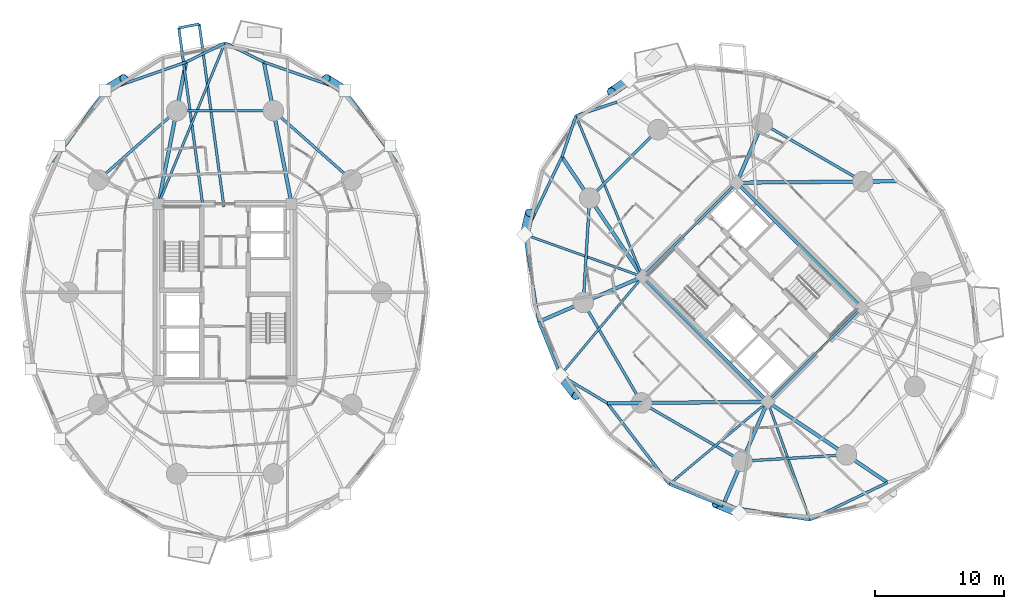
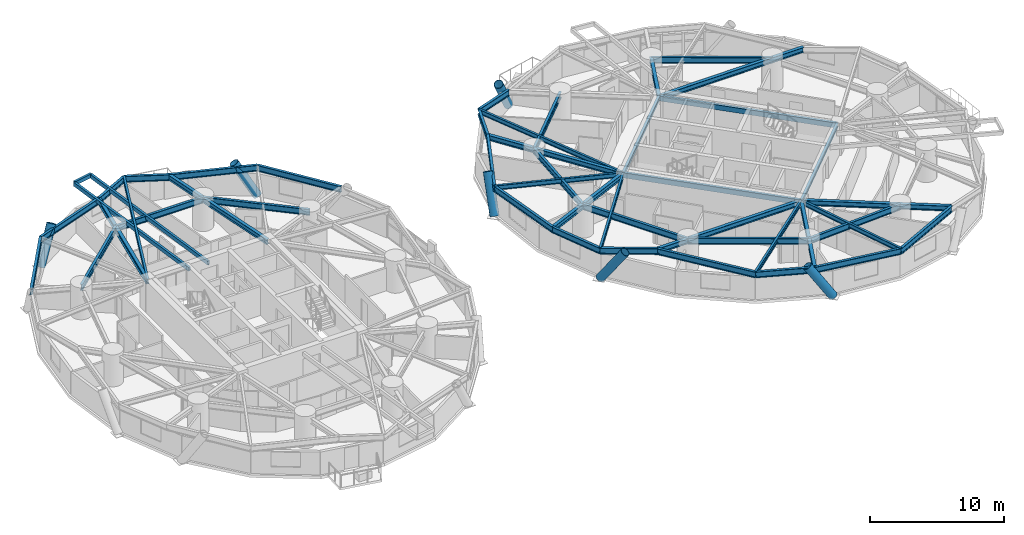
# One storey, part 5 of 19: 48 beams, 6 members.
"""IFC4 building model written with IfcOpenShell, lengths in metres."""

from ifc_helpers import new_model, si_unit, direction, frame, origin, origin_2d, place, context, subcontext, project, spatial, hollow_rectangle, hollow_circle, i_section, extrude, material, material_profile, profile_set, type_object, element, save


model = new_model("IFC4")

# Units and contexts
model_context = context("Model", 3, precision=1e-05, world=origin(), true_north=direction((0.0, 1.0)))
body_context = subcontext(model_context, "Body", "Model", "MODEL_VIEW")
ifc_project = project(units=[si_unit("LENGTHUNIT", "METRE"), si_unit("AREAUNIT", "SQUARE_METRE"), si_unit("VOLUMEUNIT", "CUBIC_METRE"), si_unit("PLANEANGLEUNIT", "RADIAN"), si_unit("MASSUNIT", "GRAM", prefix="KILO")], contexts=[model_context])

# Site, building, storey
site_placement = place(None, origin())
site = spatial("IfcSite", under=ifc_project, at=site_placement, CompositionType="ELEMENT")
building_placement = place(site_placement, origin())
building = spatial("IfcBuilding", under=site, at=building_placement, Name="Cununo Teusaquillo Station Towers", CompositionType="ELEMENT")
storey_placement = place(building_placement, frame((0.0, 0.0, 48.18994140625)))
storey = spatial("IfcBuildingStorey", under=building, at=storey_placement, Name="L14", CompositionType="ELEMENT", Elevation=48.18994140625)

# Beams
ifc_material_1 = material(Name="Steel EN 10025-2 S355J2", Category="steel")
ifc_material_profile_1 = material_profile(ifc_material_1, hollow_rectangle(XDim=0.199951171875, YDim=0.35009765625, WallThickness=0.013916015625, at=origin_2d()), Name="RHS 350x200x14")
ifc_profile_set_1 = profile_set([ifc_material_profile_1], Name="Steel EN 10025-2 S355J2")
beam_type_1 = type_object("IfcBeamType", Name="BM-BAL-CANT", PredefinedType="BEAM", material=ifc_profile_set_1)
beam_1_placement = place(storey_placement, frame((16.415283203125, 31.14990234375, 2.47509765625), z_axis=(-0.133924221821, 0.990991575549, 0.0), x_axis=(-0.990991575549, -0.133924221821, 0.0)))
element("IfcBeam", 1, at=beam_1_placement, inside=storey, type_object=beam_type_1, Name="L14 Tower A Balcony Cantilever Bracket 1A", PredefinedType="BEAM", context=body_context, shape_type="SweptSolid", body=[
    extrude(hollow_rectangle(XDim=0.199951171875, YDim=0.35009765625, WallThickness=0.013916015625, at=origin_2d()), origin(), (0.0, 0.0, 1.0), 14.34130859375),
])
beam_2_placement = place(storey_placement, frame((14.78759765625, 31.14990234375, 2.47509765625), z_axis=(-0.133936830088, 0.990989871566, 0.0), x_axis=(-0.990989871566, -0.133936830088, 0.0)))
element("IfcBeam", 2, at=beam_2_placement, inside=storey, type_object=beam_type_1, Name="L14 Tower A Balcony Cantilever Bracket 1B", PredefinedType="BEAM", context=body_context, shape_type="SweptSolid", body=[
    extrude(hollow_rectangle(XDim=0.199951171875, YDim=0.35009765625, WallThickness=0.013916015625, at=origin_2d()), origin(), (0.0, 0.0, 1.0), 14.031982421875),
])
ifc_material_2 = material(Name="Steel EN 10025-2 S355J2", Category="steel")
ifc_material_profile_2 = material_profile(ifc_material_2, hollow_rectangle(XDim=0.25, YDim=0.449951171875, WallThickness=0.01611328125, at=origin_2d()), Name="RHS 450x250x16")
ifc_profile_set_2 = profile_set([ifc_material_profile_2], Name="Steel EN 10025-2 S355J2")
beam_type_2 = type_object("IfcBeamType", Name="BM-COUP-1", PredefinedType="USERDEFINED", material=ifc_profile_set_2)
for number, where, z_axis, x_axis, name in (
    (3, (58.70556640625, 15.975830078125, 2.425048828125), (-0.707106781187, 0.707106781187, 0.0), (-0.707106781187, -0.707106781187, 0.0), "L14 Tower B Core Beam 1"),
    (4, (66.024169921875, 23.29443359375, 2.425048828125), (-0.707106781187, 0.707106781187, 0.0), (-0.707106781187, -0.707106781187, 0.0), "L14 Tower B Core Beam 2"),
):
    element("IfcBeam", number, at=place(storey_placement, frame(where, z_axis=z_axis, x_axis=x_axis)), inside=storey, type_object=beam_type_2, Name=name, ObjectType="COUPLING BEAM", PredefinedType="USERDEFINED", context=body_context, shape_type="SweptSolid", body=[
        extrude(hollow_rectangle(XDim=0.25, YDim=0.449951171875, WallThickness=0.01611328125, at=origin_2d()), origin(), (0.0, 0.0, 1.0), 13.760009765625),
    ])
ifc_material_3 = material(Name="Steel ASTM A572 Grade 50", Category="steel")
ifc_material_profile_3 = material_profile(ifc_material_3, i_section(OverallWidth=0.180908203125, OverallDepth=0.4169921875, WebThickness=0.010986328125, FlangeThickness=0.018310546875, FilletRadius=0.012939453125, at=origin_2d()), Name="W16X57")
ifc_profile_set_3 = profile_set([ifc_material_profile_3], Name="Steel ASTM A572 Grade 50")
beam_type_3 = type_object("IfcBeamType", Name="BM-JOIST-1", PredefinedType="JOIST", material=ifc_profile_set_3)
for number, where, z_axis, x_axis, name in (
    (5, (11.324951171875, 31.3798828125, 2.441650390625), (0.382256753081, 0.924056153447, 0.0), (-0.924056153447, 0.382256753081, 0.0), "L14 Tower A Radial Spandrel Joist V05"),
    (6, (48.975830078125, 25.70556640625, 2.441650390625), (-0.383107724927, 0.923703670612, 0.0), (-0.923703670612, -0.383107724927, 0.0), "L14 Tower B Radial Spandrel Joist V05"),
):
    element("IfcBeam", number, at=place(storey_placement, frame(where, z_axis=z_axis, x_axis=x_axis)), inside=storey, type_object=beam_type_3, Name=name, PredefinedType="JOIST", context=body_context, shape_type="SweptSolid", body=[
        extrude(i_section(OverallWidth=0.180908203125, OverallDepth=0.4169921875, WebThickness=0.010986328125, FlangeThickness=0.018310546875, FilletRadius=0.012939453125, at=origin_2d()), origin(), (0.0, 0.0, 1.0), 13.5380859375),
    ])
beam_3_placement = place(storey_placement, frame((48.975830078125, 25.70556640625, 2.441650390625), z_axis=(-0.941404588136, 0.337279411522, 0.0), x_axis=(-0.337279411522, -0.941404588136, 0.0)))
element("IfcBeam", 7, at=beam_3_placement, inside=storey, type_object=beam_type_3, Name="L14 Tower B Radial Spandrel Joist V07", PredefinedType="JOIST", context=body_context, shape_type="SweptSolid", body=[
    extrude(i_section(OverallWidth=0.180908203125, OverallDepth=0.4169921875, WebThickness=0.010986328125, FlangeThickness=0.018310546875, FilletRadius=0.012939453125, at=origin_2d()), origin(), (0.0, 0.0, 1.0), 9.740234375),
])
for number, where, z_axis, x_axis, name in (
    (8, (48.975830078125, 25.70556640625, 2.441650390625), (-0.641315728701, -0.767277092139, 0.0), (0.767277092139, -0.641315728701, 0.0), "L14 Tower B Radial Spandrel Joist V09"),
    (9, (58.70556640625, 15.975830078125, 2.441650390625), (-0.767277092139, -0.641315728701, 0.0), (0.641315728701, -0.767277092139, 0.0), "L14 Tower B Radial Spandrel Joist V11"),
):
    element("IfcBeam", number, at=place(storey_placement, frame(where, z_axis=z_axis, x_axis=x_axis)), inside=storey, type_object=beam_type_3, Name=name, PredefinedType="JOIST", context=body_context, shape_type="SweptSolid", body=[
        extrude(i_section(OverallWidth=0.180908203125, OverallDepth=0.4169921875, WebThickness=0.010986328125, FlangeThickness=0.018310546875, FilletRadius=0.012939453125, at=origin_2d()), origin(), (0.0, 0.0, 1.0), 9.97021484375),
    ])
beam_4_placement = place(storey_placement, frame((58.70556640625, 15.975830078125, 2.441650390625), z_axis=(0.337279411522, -0.941404588136, 0.0), x_axis=(0.941404588136, 0.337279411522, 0.0)))
element("IfcBeam", 10, at=beam_4_placement, inside=storey, type_object=beam_type_3, Name="L14 Tower B Radial Spandrel Joist V13", PredefinedType="JOIST", context=body_context, shape_type="SweptSolid", body=[
    extrude(i_section(OverallWidth=0.180908203125, OverallDepth=0.4169921875, WebThickness=0.010986328125, FlangeThickness=0.018310546875, FilletRadius=0.012939453125, at=origin_2d()), origin(), (0.0, 0.0, 1.0), 9.740234375),
])
ifc_material_4 = material(Name="Steel ASTM A572 Grade 50", Category="steel")
ifc_material_profile_4 = material_profile(ifc_material_4, i_section(OverallWidth=0.2041015625, OverallDepth=0.35009765625, WebThickness=0.008544921875, FlangeThickness=0.01513671875, FilletRadius=0.011962890625, at=origin_2d()), Name="W14X48")
ifc_profile_set_4 = profile_set([ifc_material_profile_4], Name="Steel ASTM A572 Grade 50")
beam_type_4 = type_object("IfcBeamType", Name="BM-LINTEL-1", PredefinedType="LINTEL", material=ifc_profile_set_4)
for number, where, z_axis, x_axis, name in (
    (11, (58.70556640625, 15.975830078125, 2.47509765625), (0.707106781187, 0.707106781187, 0.0), (-0.707106781187, 0.707106781187, 0.0), "L14 Tower B Core Beam 3"),
    (12, (48.975830078125, 25.70556640625, 2.47509765625), (0.707106781187, 0.707106781187, 0.0), (-0.707106781187, 0.707106781187, 0.0), "L14 Tower B Core Beam 4"),
):
    element("IfcBeam", number, at=place(storey_placement, frame(where, z_axis=z_axis, x_axis=x_axis)), inside=storey, type_object=beam_type_4, Name=name, PredefinedType="LINTEL", context=body_context, shape_type="SweptSolid", body=[
        extrude(i_section(OverallWidth=0.2041015625, OverallDepth=0.35009765625, WebThickness=0.008544921875, FlangeThickness=0.01513671875, FilletRadius=0.011962890625, at=origin_2d()), origin(), (0.0, 0.0, 1.0), 10.35009765625),
    ])
ifc_material_5 = material(Name="Steel ASTM A572 Grade 50", Category="steel")
ifc_material_profile_5 = material_profile(ifc_material_5, i_section(OverallWidth=0.280029296875, OverallDepth=0.462890625, WebThickness=0.0107421875, FlangeThickness=0.017333984375, FilletRadius=0.013916015625, at=origin_2d()), Name="W18X76")
ifc_profile_set_5 = profile_set([ifc_material_profile_5], Name="Steel ASTM A572 Grade 50")
beam_type_5 = type_object("IfcBeamType", Name="BM-RAD-G1", PredefinedType="BEAM", material=ifc_profile_set_5)
for number, where, z_axis, x_axis, name in (
    (13, (21.675048828125, 31.3798828125, 2.41845703125), (-0.191552755713, 0.981482318628, 0.0), (-0.981482318628, -0.191552755713, 0.0), "L14 Tower A Continuous Overhanging Radial Girder 03"),
    (14, (11.324951171875, 31.3798828125, 2.41845703125), (0.191552755713, 0.981482318628, 0.0), (-0.981482318628, 0.191552755713, 0.0), "L14 Tower A Continuous Overhanging Radial Girder 04"),
):
    element("IfcBeam", number, at=place(storey_placement, frame(where, z_axis=z_axis, x_axis=x_axis)), inside=storey, type_object=beam_type_5, Name=name, PredefinedType="BEAM", context=body_context, shape_type="SweptSolid", body=[
        extrude(i_section(OverallWidth=0.280029296875, OverallDepth=0.462890625, WebThickness=0.0107421875, FlangeThickness=0.017333984375, FilletRadius=0.013916015625, at=origin_2d()), origin(), (0.0, 0.0, 1.0), 11.22998046875),
    ])
beam_5_placement = place(storey_placement, frame((56.29443359375, 33.024169921875, 2.41845703125), z_axis=(0.999964334348, 0.008445710917, 0.0), x_axis=(-0.008445710917, 0.999964334348, 0.0)))
element("IfcBeam", 15, at=beam_5_placement, inside=storey, type_object=beam_type_5, Name="L14 Tower B Continuous Overhanging Radial Girder 01", PredefinedType="BEAM", context=body_context, shape_type="SweptSolid", body=[
    extrude(i_section(OverallWidth=0.280029296875, OverallDepth=0.462890625, WebThickness=0.0107421875, FlangeThickness=0.017333984375, FilletRadius=0.013916015625, at=origin_2d()), origin(), (0.0, 0.0, 1.0), 12.458984375),
])
beam_6_placement = place(storey_placement, frame((56.29443359375, 33.024169921875, 2.41845703125), z_axis=(0.397346986387, 0.917668443616, 0.0), x_axis=(-0.917668443616, 0.397346986387, 0.0)))
element("IfcBeam", 16, at=beam_6_placement, inside=storey, type_object=beam_type_5, Name="L14 Tower B Radial Girder 02A", PredefinedType="BEAM", context=body_context, shape_type="SweptSolid", body=[
    extrude(i_section(OverallWidth=0.280029296875, OverallDepth=0.462890625, WebThickness=0.0107421875, FlangeThickness=0.017333984375, FilletRadius=0.013916015625, at=origin_2d()), origin(), (0.0, 0.0, 1.0), 5.02490234375),
])
beam_7_placement = place(storey_placement, frame((48.975830078125, 25.70556640625, 2.41845703125), z_axis=(-0.558572297481, 0.82945583878, 0.0), x_axis=(-0.82945583878, -0.558572297481, 0.0)))
element("IfcBeam", 17, at=beam_7_placement, inside=storey, type_object=beam_type_5, Name="L14 Tower B Continuous Overhanging Radial Girder 04", PredefinedType="BEAM", context=body_context, shape_type="SweptSolid", body=[
    extrude(i_section(OverallWidth=0.280029296875, OverallDepth=0.462890625, WebThickness=0.0107421875, FlangeThickness=0.017333984375, FilletRadius=0.013916015625, at=origin_2d()), origin(), (0.0, 0.0, 1.0), 11.22998046875),
])
beam_8_placement = place(storey_placement, frame((48.975830078125, 25.70556640625, 2.41845703125), z_axis=(-0.917660203996, -0.397366015157, 0.0), x_axis=(0.397366015157, -0.917660203996, 0.0)))
element("IfcBeam", 18, at=beam_8_placement, inside=storey, type_object=beam_type_5, Name="L14 Tower B Continuous Overhanging Radial Girder 05", PredefinedType="BEAM", context=body_context, shape_type="SweptSolid", body=[
    extrude(i_section(OverallWidth=0.280029296875, OverallDepth=0.462890625, WebThickness=0.0107421875, FlangeThickness=0.017333984375, FilletRadius=0.013916015625, at=origin_2d()), origin(), (0.0, 0.0, 1.0), 8.798095703125),
])
beam_9_placement = place(storey_placement, frame((58.70556640625, 15.975830078125, 2.41845703125), z_axis=(-0.999964431382, -0.008434214327, 0.0), x_axis=(0.008434214327, -0.999964431382, 0.0)))
element("IfcBeam", 19, at=beam_9_placement, inside=storey, type_object=beam_type_5, Name="L14 Tower B Radial Girder 06A", PredefinedType="BEAM", context=body_context, shape_type="SweptSolid", body=[
    extrude(i_section(OverallWidth=0.280029296875, OverallDepth=0.462890625, WebThickness=0.0107421875, FlangeThickness=0.017333984375, FilletRadius=0.013916015625, at=origin_2d()), origin(), (0.0, 0.0, 1.0), 9.812744140625),
])
beam_10_placement = place(storey_placement, frame((48.89306640625, 15.89306640625, 2.41845703125), z_axis=(-0.999963973349, -0.008488345225, 0.0), x_axis=(0.008488345225, -0.999963973349, 0.0)))
element("IfcBeam", 20, at=beam_10_placement, inside=storey, type_object=beam_type_5, Name="L14 Tower B Perimeter Overhang Girder 06B", PredefinedType="BEAM", context=body_context, shape_type="SweptSolid", body=[
    extrude(i_section(OverallWidth=0.280029296875, OverallDepth=0.462890625, WebThickness=0.0107421875, FlangeThickness=0.017333984375, FilletRadius=0.013916015625, at=origin_2d()), origin(), (0.0, 0.0, 1.0), 2.64599609375),
])
beam_11_placement = place(storey_placement, frame((58.70556640625, 15.975830078125, 2.41845703125), z_axis=(-0.397366015157, -0.917660203996, 0.0), x_axis=(0.917660203996, -0.397366015157, 0.0)))
element("IfcBeam", 21, at=beam_11_placement, inside=storey, type_object=beam_type_5, Name="L14 Tower B Continuous Overhanging Radial Girder 07", PredefinedType="BEAM", context=body_context, shape_type="SweptSolid", body=[
    extrude(i_section(OverallWidth=0.280029296875, OverallDepth=0.462890625, WebThickness=0.0107421875, FlangeThickness=0.017333984375, FilletRadius=0.013916015625, at=origin_2d()), origin(), (0.0, 0.0, 1.0), 8.798095703125),
])
beam_12_placement = place(storey_placement, frame((58.70556640625, 15.975830078125, 2.41845703125), z_axis=(0.82945583878, -0.558572297481, 0.0), x_axis=(0.558572297481, 0.82945583878, 0.0)))
element("IfcBeam", 22, at=beam_12_placement, inside=storey, type_object=beam_type_5, Name="L14 Tower B Continuous Overhanging Radial Girder 08", PredefinedType="BEAM", context=body_context, shape_type="SweptSolid", body=[
    extrude(i_section(OverallWidth=0.280029296875, OverallDepth=0.462890625, WebThickness=0.0107421875, FlangeThickness=0.017333984375, FilletRadius=0.013916015625, at=origin_2d()), origin(), (0.0, 0.0, 1.0), 11.22998046875),
])
ifc_material_6 = material(Name="Steel ASTM A572 Grade 50", Category="steel")
ifc_material_profile_6 = material_profile(ifc_material_6, i_section(OverallWidth=0.214111328125, OverallDepth=0.549072265625, WebThickness=0.0146484375, FlangeThickness=0.023681640625, FilletRadius=0.014892578125, at=origin_2d()), Name="W21X93")
ifc_profile_set_6 = profile_set([ifc_material_profile_6], Name="Steel ASTM A572 Grade 50")
beam_type_6 = type_object("IfcBeamType", Name="BM-RING-Z1", PredefinedType="SPANDREL", material=ifc_profile_set_6)
beam_13_placement = place(storey_placement, frame((26.347412109375, 33.228515625, 2.37548828125), z_axis=(-0.74832120039, 0.66333655187, 0.0), x_axis=(-0.66333655187, -0.74832120039, 0.0)))
element("IfcBeam", 23, at=beam_13_placement, inside=storey, type_object=beam_type_6, Name="L14 Tower A Structural Column Ring Girder 02", PredefinedType="SPANDREL", context=body_context, shape_type="SweptSolid", body=[
    extrude(i_section(OverallWidth=0.214111328125, OverallDepth=0.549072265625, WebThickness=0.0146484375, FlangeThickness=0.023681640625, FilletRadius=0.014892578125, at=origin_2d()), origin(), (0.0, 0.0, 1.0), 8.1328125),
])
beam_14_placement = place(storey_placement, frame((20.261474609375, 38.623291015625, 2.37548828125), z_axis=(-1.0, 0.0, 0.0), x_axis=(0.0, -1.0, 0.0)))
element("IfcBeam", 24, at=beam_14_placement, inside=storey, type_object=beam_type_6, Name="L14 Tower A Structural Column Ring Girder 03", PredefinedType="SPANDREL", context=body_context, shape_type="SweptSolid", body=[
    extrude(i_section(OverallWidth=0.214111328125, OverallDepth=0.549072265625, WebThickness=0.0146484375, FlangeThickness=0.023681640625, FilletRadius=0.014892578125, at=origin_2d()), origin(), (0.0, 0.0, 1.0), 7.52294921875),
])
beam_15_placement = place(storey_placement, frame((12.738525390625, 38.623291015625, 2.37548828125), z_axis=(-0.74832120039, -0.66333655187, 0.0), x_axis=(0.66333655187, -0.74832120039, 0.0)))
element("IfcBeam", 25, at=beam_15_placement, inside=storey, type_object=beam_type_6, Name="L14 Tower A Structural Column Ring Girder 04", PredefinedType="SPANDREL", context=body_context, shape_type="SweptSolid", body=[
    extrude(i_section(OverallWidth=0.214111328125, OverallDepth=0.549072265625, WebThickness=0.0146484375, FlangeThickness=0.023681640625, FilletRadius=0.014892578125, at=origin_2d()), origin(), (0.0, 0.0, 1.0), 8.1328125),
])
beam_16_placement = place(storey_placement, frame((29.856201171875, 34.61669921875, 2.37548828125), z_axis=(-0.585268642749, 0.810839451319, 0.0), x_axis=(-0.810839451319, -0.585268642749, 0.0)))
element("IfcBeam", 26, at=beam_16_placement, inside=storey, type_object=beam_type_6, Name="L14 Tower A Spandrel Ring Beam 03", PredefinedType="SPANDREL", context=body_context, shape_type="SweptSolid", body=[
    extrude(i_section(OverallWidth=0.214111328125, OverallDepth=0.549072265625, WebThickness=0.0146484375, FlangeThickness=0.023681640625, FilletRadius=0.014892578125, at=origin_2d()), origin(), (0.0, 0.0, 1.0), 6.86962890625),
])
beam_17_placement = place(storey_placement, frame((25.835693359375, 40.186767578125, 2.37548828125), z_axis=(-0.943579776012, 0.33114529485, 0.0), x_axis=(-0.33114529485, -0.943579776012, 0.0)))
element("IfcBeam", 27, at=beam_17_placement, inside=storey, type_object=beam_type_6, Name="L14 Tower A Spandrel Ring Beam 04", PredefinedType="SPANDREL", context=body_context, shape_type="SweptSolid", body=[
    extrude(i_section(OverallWidth=0.214111328125, OverallDepth=0.549072265625, WebThickness=0.0146484375, FlangeThickness=0.023681640625, FilletRadius=0.014892578125, at=origin_2d()), origin(), (0.0, 0.0, 1.0), 6.689208984375),
])
for number, where, z_axis, x_axis, name in (
    (28, (19.52392578125, 42.40185546875, 2.37548828125), (-0.8972488299, 0.441525239645, 0.0), (-0.441525239645, -0.8972488299, 0.0), "L14 Tower A Spandrel Ring Beam 05"),
    (29, (16.5, 43.889892578125, 2.37548828125), (-0.8972488299, -0.441525239645, 0.0), (0.441525239645, -0.8972488299, 0.0), "L14 Tower A Spandrel Ring Beam 06"),
):
    element("IfcBeam", number, at=place(storey_placement, frame(where, z_axis=z_axis, x_axis=x_axis)), inside=storey, type_object=beam_type_6, Name=name, PredefinedType="SPANDREL", context=body_context, shape_type="SweptSolid", body=[
        extrude(i_section(OverallWidth=0.214111328125, OverallDepth=0.549072265625, WebThickness=0.0146484375, FlangeThickness=0.023681640625, FilletRadius=0.014892578125, at=origin_2d()), origin(), (0.0, 0.0, 1.0), 3.3701171875),
    ])
beam_18_placement = place(storey_placement, frame((13.47607421875, 42.40185546875, 2.37548828125), z_axis=(-0.943579776012, -0.33114529485, 0.0), x_axis=(0.33114529485, -0.943579776012, 0.0)))
element("IfcBeam", 30, at=beam_18_placement, inside=storey, type_object=beam_type_6, Name="L14 Tower A Spandrel Ring Beam 07", PredefinedType="SPANDREL", context=body_context, shape_type="SweptSolid", body=[
    extrude(i_section(OverallWidth=0.214111328125, OverallDepth=0.549072265625, WebThickness=0.0146484375, FlangeThickness=0.023681640625, FilletRadius=0.014892578125, at=origin_2d()), origin(), (0.0, 0.0, 1.0), 6.689208984375),
])
beam_19_placement = place(storey_placement, frame((7.164306640625, 40.186767578125, 2.37548828125), z_axis=(-0.585268642749, -0.810839451319, 0.0), x_axis=(0.810839451319, -0.585268642749, 0.0)))
element("IfcBeam", 31, at=beam_19_placement, inside=storey, type_object=beam_type_6, Name="L14 Tower A Spandrel Ring Beam 08", PredefinedType="SPANDREL", context=body_context, shape_type="SweptSolid", body=[
    extrude(i_section(OverallWidth=0.214111328125, OverallDepth=0.549072265625, WebThickness=0.0146484375, FlangeThickness=0.023681640625, FilletRadius=0.014892578125, at=origin_2d()), origin(), (0.0, 0.0, 1.0), 6.86962890625),
])
beam_20_placement = place(storey_placement, frame((66.10693359375, 33.10693359375, 2.37548828125), z_axis=(-0.865267103202, 0.501311121078, 0.0), x_axis=(-0.501311121078, -0.865267103202, 0.0)))
element("IfcBeam", 32, at=beam_20_placement, inside=storey, type_object=beam_type_6, Name="L14 Tower B Structural Column Ring Girder 01", PredefinedType="SPANDREL", context=body_context, shape_type="SweptSolid", body=[
    extrude(i_section(OverallWidth=0.214111328125, OverallDepth=0.549072265625, WebThickness=0.0146484375, FlangeThickness=0.023681640625, FilletRadius=0.014892578125, at=origin_2d()), origin(), (0.0, 0.0, 1.0), 9.032958984375),
])
beam_21_placement = place(storey_placement, frame((50.173095703125, 37.146240234375, 2.37548828125), z_axis=(-0.707106781187, -0.707106781187, 0.0), x_axis=(0.707106781187, -0.707106781187, 0.0)))
element("IfcBeam", 33, at=beam_21_placement, inside=storey, type_object=beam_type_6, Name="L14 Tower B Structural Column Ring Girder 03", PredefinedType="SPANDREL", context=body_context, shape_type="SweptSolid", body=[
    extrude(i_section(OverallWidth=0.214111328125, OverallDepth=0.549072265625, WebThickness=0.0146484375, FlangeThickness=0.023681640625, FilletRadius=0.014892578125, at=origin_2d()), origin(), (0.0, 0.0, 1.0), 7.522705078125),
])
beam_22_placement = place(storey_placement, frame((44.853759765625, 31.826904296875, 2.37548828125), z_axis=(-0.06012979176, -0.998190567048, 0.0), x_axis=(0.998190567048, -0.06012979176, 0.0)))
element("IfcBeam", 34, at=beam_22_placement, inside=storey, type_object=beam_type_6, Name="L14 Tower B Structural Column Ring Girder 04", PredefinedType="SPANDREL", context=body_context, shape_type="SweptSolid", body=[
    extrude(i_section(OverallWidth=0.214111328125, OverallDepth=0.549072265625, WebThickness=0.0146484375, FlangeThickness=0.023681640625, FilletRadius=0.014892578125, at=origin_2d()), origin(), (0.0, 0.0, 1.0), 8.132568359375),
])
for number, where, z_axis, x_axis, name in (
    (35, (44.36474609375, 23.708984375, 2.37548828125), (0.501311121078, -0.865267103202, 0.0), (0.865267103202, 0.501311121078, 0.0), "L14 Tower B Structural Column Ring Girder 05"),
    (36, (48.89306640625, 15.89306640625, 2.37548828125), (0.865267103202, -0.501311121078, 0.0), (0.501311121078, 0.865267103202, 0.0), "L14 Tower B Structural Column Ring Girder 06"),
):
    element("IfcBeam", number, at=place(storey_placement, frame(where, z_axis=z_axis, x_axis=x_axis)), inside=storey, type_object=beam_type_6, Name=name, PredefinedType="SPANDREL", context=body_context, shape_type="SweptSolid", body=[
        extrude(i_section(OverallWidth=0.214111328125, OverallDepth=0.549072265625, WebThickness=0.0146484375, FlangeThickness=0.023681640625, FilletRadius=0.014892578125, at=origin_2d()), origin(), (0.0, 0.0, 1.0), 9.032958984375),
    ])
beam_23_placement = place(storey_placement, frame((56.708984375, 11.36474609375, 2.37548828125), z_axis=(0.998190567048, 0.06012979176, 0.0), x_axis=(-0.06012979176, 0.998190567048, 0.0)))
element("IfcBeam", 37, at=beam_23_placement, inside=storey, type_object=beam_type_6, Name="L14 Tower B Structural Column Ring Girder 07", PredefinedType="SPANDREL", context=body_context, shape_type="SweptSolid", body=[
    extrude(i_section(OverallWidth=0.214111328125, OverallDepth=0.549072265625, WebThickness=0.0146484375, FlangeThickness=0.023681640625, FilletRadius=0.014892578125, at=origin_2d()), origin(), (0.0, 0.0, 1.0), 8.132568359375),
])
for number, where, z_axis, x_axis, name in (
    (38, (46.979736328125, 39.296875, 2.37548828125), (-0.946642852865, -0.322284515794, 0.0), (0.322284515794, -0.946642852865, 0.0), "L14 Tower B Spandrel Ring Beam 05"),
    (39, (43.789306640625, 38.210693359375, 2.37548828125), (-0.322284515794, -0.946642852865, 0.0), (0.946642852865, -0.322284515794, 0.0), "L14 Tower B Spandrel Ring Beam 06"),
):
    element("IfcBeam", number, at=place(storey_placement, frame(where, z_axis=z_axis, x_axis=x_axis)), inside=storey, type_object=beam_type_6, Name=name, PredefinedType="SPANDREL", context=body_context, shape_type="SweptSolid", body=[
        extrude(i_section(OverallWidth=0.214111328125, OverallDepth=0.549072265625, WebThickness=0.0146484375, FlangeThickness=0.023681640625, FilletRadius=0.014892578125, at=origin_2d()), origin(), (0.0, 0.0, 1.0), 3.370361328125),
    ])
beam_24_placement = place(storey_placement, frame((42.703125, 35.020263671875, 2.37548828125), z_axis=(-0.433040723491, -0.901374357189, 0.0), x_axis=(0.901374357189, -0.433040723491, 0.0)))
element("IfcBeam", 40, at=beam_24_placement, inside=storey, type_object=beam_type_6, Name="L14 Tower B Spandrel Ring Beam 07", PredefinedType="SPANDREL", context=body_context, shape_type="SweptSolid", body=[
    extrude(i_section(OverallWidth=0.214111328125, OverallDepth=0.549072265625, WebThickness=0.0146484375, FlangeThickness=0.023681640625, FilletRadius=0.014892578125, at=origin_2d()), origin(), (0.0, 0.0, 1.0), 6.689208984375),
])
beam_25_placement = place(storey_placement, frame((39.806396484375, 28.99072265625, 2.37548828125), z_axis=(0.15950955411, -0.987196384793, 0.0), x_axis=(0.987196384793, 0.15950955411, 0.0)))
element("IfcBeam", 41, at=beam_25_placement, inside=storey, type_object=beam_type_6, Name="L14 Tower B Spandrel Ring Beam 08", PredefinedType="SPANDREL", context=body_context, shape_type="SweptSolid", body=[
    extrude(i_section(OverallWidth=0.214111328125, OverallDepth=0.549072265625, WebThickness=0.0146484375, FlangeThickness=0.023681640625, FilletRadius=0.014892578125, at=origin_2d()), origin(), (0.0, 0.0, 1.0), 6.869140625),
])
beam_26_placement = place(storey_placement, frame((40.902099609375, 22.20947265625, 2.37548828125), z_axis=(0.374882843411, -0.927072194447, 0.0), x_axis=(0.927072194447, 0.374882843411, 0.0)))
element("IfcBeam", 42, at=beam_26_placement, inside=storey, type_object=beam_type_6, Name="L14 Tower B Spandrel Ring Beam 09", PredefinedType="SPANDREL", context=body_context, shape_type="SweptSolid", body=[
    extrude(i_section(OverallWidth=0.214111328125, OverallDepth=0.549072265625, WebThickness=0.0146484375, FlangeThickness=0.023681640625, FilletRadius=0.014892578125, at=origin_2d()), origin(), (0.0, 0.0, 1.0), 4.48046875),
])
beam_27_placement = place(storey_placement, frame((42.581787109375, 18.0556640625, 2.37548828125), z_axis=(0.858948426011, -0.512062107027, 0.0), x_axis=(0.512062107027, 0.858948426011, 0.0)))
element("IfcBeam", 43, at=beam_27_placement, inside=storey, type_object=beam_type_6, Name="L14 Tower B Spandrel Ring Beam 10", PredefinedType="SPANDREL", context=body_context, shape_type="SweptSolid", body=[
    extrude(i_section(OverallWidth=0.214111328125, OverallDepth=0.549072265625, WebThickness=0.0146484375, FlangeThickness=0.023681640625, FilletRadius=0.014892578125, at=origin_2d()), origin(), (0.0, 0.0, 1.0), 4.26708984375),
])
beam_28_placement = place(storey_placement, frame((46.2470703125, 15.87060546875, 2.37548828125), z_axis=(0.607410042696, -0.794388469222, 0.0), x_axis=(0.794388469222, 0.607410042696, 0.0)))
element("IfcBeam", 44, at=beam_28_placement, inside=storey, type_object=beam_type_6, Name="L14 Tower B Spandrel Ring Beam 11", PredefinedType="SPANDREL", context=body_context, shape_type="SweptSolid", body=[
    extrude(i_section(OverallWidth=0.214111328125, OverallDepth=0.549072265625, WebThickness=0.0146484375, FlangeThickness=0.023681640625, FilletRadius=0.014892578125, at=origin_2d()), origin(), (0.0, 0.0, 1.0), 7.91650390625),
])
beam_29_placement = place(storey_placement, frame((51.0556640625, 9.581787109375, 2.37548828125), z_axis=(0.927072194447, -0.374882843411, 0.0), x_axis=(0.374882843411, 0.927072194447, 0.0)))
element("IfcBeam", 45, at=beam_29_placement, inside=storey, type_object=beam_type_6, Name="L14 Tower B Spandrel Ring Beam 12", PredefinedType="SPANDREL", context=body_context, shape_type="SweptSolid", body=[
    extrude(i_section(OverallWidth=0.214111328125, OverallDepth=0.549072265625, WebThickness=0.0146484375, FlangeThickness=0.023681640625, FilletRadius=0.014892578125, at=origin_2d()), origin(), (0.0, 0.0, 1.0), 4.48046875),
])
beam_30_placement = place(storey_placement, frame((55.20947265625, 7.902099609375, 2.37548828125), z_axis=(0.987196384793, -0.15950955411, 0.0), x_axis=(0.15950955411, 0.987196384793, 0.0)))
element("IfcBeam", 46, at=beam_30_placement, inside=storey, type_object=beam_type_6, Name="L14 Tower B Spandrel Ring Beam 13", PredefinedType="SPANDREL", context=body_context, shape_type="SweptSolid", body=[
    extrude(i_section(OverallWidth=0.214111328125, OverallDepth=0.549072265625, WebThickness=0.0146484375, FlangeThickness=0.023681640625, FilletRadius=0.014892578125, at=origin_2d()), origin(), (0.0, 0.0, 1.0), 6.869140625),
])
beam_31_placement = place(storey_placement, frame((61.99072265625, 6.806396484375, 2.37548828125), z_axis=(0.901374357189, 0.433040723491, 0.0), x_axis=(-0.433040723491, 0.901374357189, 0.0)))
element("IfcBeam", 47, at=beam_31_placement, inside=storey, type_object=beam_type_6, Name="L14 Tower B Spandrel Ring Beam 14", PredefinedType="SPANDREL", context=body_context, shape_type="SweptSolid", body=[
    extrude(i_section(OverallWidth=0.214111328125, OverallDepth=0.549072265625, WebThickness=0.0146484375, FlangeThickness=0.023681640625, FilletRadius=0.014892578125, at=origin_2d()), origin(), (0.0, 0.0, 1.0), 6.689208984375),
])
ifc_material_7 = material(Name="Steel EN 10025-2 S355J2", Category="steel")
ifc_material_profile_7 = material_profile(ifc_material_7, hollow_rectangle(XDim=0.199951171875, YDim=0.35009765625, WallThickness=0.013916015625, at=origin_2d()), Name="RHS 350x200x14")
ifc_profile_set_7 = profile_set([ifc_material_profile_7], Name="Steel EN 10025-2 S355J2")
beam_type_7 = type_object("IfcBeamType", Name="BM-STAIR-TRIM", PredefinedType="BEAM", material=ifc_profile_set_7)
beam_32_placement = place(storey_placement, frame((14.49462890625, 45.362060546875, 2.525146484375), z_axis=(-0.981827104253, -0.189777599714, 0.0), x_axis=(0.189777599714, -0.981827104253, 0.0)))
element("IfcBeam", 48, at=beam_32_placement, inside=storey, type_object=beam_type_7, Name="L14 Tower A Balcony Edge Trimmer Beam 1", PredefinedType="BEAM", context=body_context, shape_type="SweptSolid", body=[
    extrude(hollow_rectangle(XDim=0.199951171875, YDim=0.35009765625, WallThickness=0.013916015625, at=origin_2d()), origin(), (0.0, 0.0, 1.0), 1.61572265625),
])

# Members
ifc_material_8 = material(Name="Steel EN 10025-2 S355J2", Category="steel")
ifc_material_profile_8 = material_profile(ifc_material_8, hollow_circle(Radius=0.360107421875, WallThickness=0.028076171875, at=origin_2d()), Name="CHS 720x28")
ifc_profile_set_8 = profile_set([ifc_material_profile_8], Name="Steel EN 10025-2 S355J2")
member_type = type_object("IfcMemberType", Name="MBR-DIAG-Z1", PredefinedType="BRACE", material=ifc_profile_set_8)
for number, where, z_axis, x_axis, name in (
    (49, (25.835693359375, 40.186767578125, -0.139892578125), (-0.435411045402, 0.270898418818, 0.858505252298), (-0.528268134095, -0.849077604521, 0.0), "L14 Tower A Folded-Zigzag Diagrid Tube C03"),
    (50, (7.164306640625, 40.186767578125, -0.139892578125), (0.435411045402, 0.270898418818, 0.858505252298), (-0.528268134095, 0.849077604521, 0.0), "L14 Tower A Folded-Zigzag Diagrid Tube C06"),
):
    element("IfcMember", number, at=place(storey_placement, frame(where, z_axis=z_axis, x_axis=x_axis)), inside=storey, type_object=member_type, Name=name, PredefinedType="BRACE", context=body_context, shape_type="SweptSolid", body=[
        extrude(hollow_circle(Radius=0.360107421875, WallThickness=0.028076171875, at=origin_2d()), origin(), (0.0, 0.0, 1.0), 3.389404296875),
    ])
member_1_placement = place(storey_placement, frame((47.930908203125, 41.01025390625, -0.139892578125), z_axis=(-0.411722920542, -0.278267904918, 0.867785232527), x_axis=(0.559963432154, -0.828517323084, 0.0)))
element("IfcMember", 51, at=member_1_placement, inside=storey, type_object=member_type, Name="L14 Tower B Folded-Zigzag Diagrid Tube C04", PredefinedType="BRACE", context=body_context, shape_type="SweptSolid", body=[
    extrude(hollow_circle(Radius=0.360107421875, WallThickness=0.028076171875, at=origin_2d()), origin(), (0.0, 0.0, 1.0), 3.353271484375),
])
member_2_placement = place(storey_placement, frame((39.806396484375, 28.99072265625, -0.139892578125), z_axis=(0.11632526398, 0.499442340827, 0.858502056578), x_axis=(-0.973932302924, 0.226838862017, 0.0)))
element("IfcMember", 52, at=member_2_placement, inside=storey, type_object=member_type, Name="L14 Tower B Folded-Zigzag Diagrid Tube C06", PredefinedType="BRACE", context=body_context, shape_type="SweptSolid", body=[
    extrude(hollow_circle(Radius=0.360107421875, WallThickness=0.028076171875, at=origin_2d()), origin(), (0.0, 0.0, 1.0), 3.389404296875),
])
member_3_placement = place(storey_placement, frame((42.581787109375, 18.0556640625, -0.139892578125), z_axis=(0.347288106018, -0.450839843629, 0.82227392444), x_axis=(0.792209205335, 0.610249600559, 0.0)))
element("IfcMember", 53, at=member_3_placement, inside=storey, type_object=member_type, Name="L14 Tower B Folded-Zigzag Diagrid Tube C09", PredefinedType="BRACE", context=body_context, shape_type="SweptSolid", body=[
    extrude(hollow_circle(Radius=0.360107421875, WallThickness=0.028076171875, at=origin_2d()), origin(), (0.0, 0.0, 1.0), 3.538818359375),
])
member_4_placement = place(storey_placement, frame((56.472900390625, 7.35498046875, -0.139892578125), z_axis=(-0.515297512564, 0.211804277744, 0.830426048167), x_axis=(-0.380171067947, -0.924916190309, 0.0)))
element("IfcMember", 54, at=member_4_placement, inside=storey, type_object=member_type, Name="L14 Tower B Folded-Zigzag Diagrid Tube C11", PredefinedType="BRACE", context=body_context, shape_type="SweptSolid", body=[
    extrude(hollow_circle(Radius=0.360107421875, WallThickness=0.028076171875, at=origin_2d()), origin(), (0.0, 0.0, 1.0), 3.504150390625),
])

save(model, "model.ifc")
